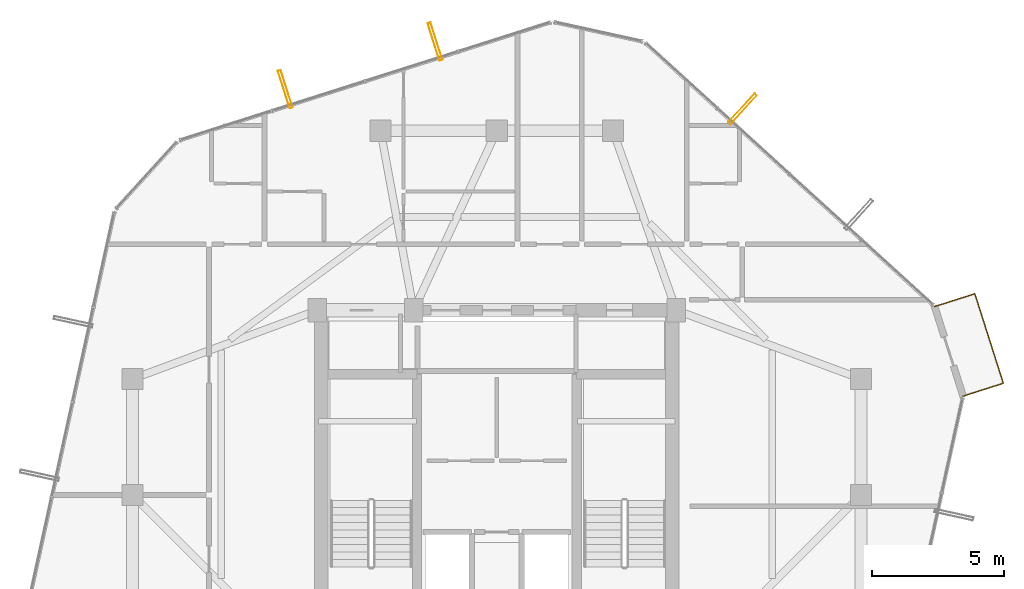
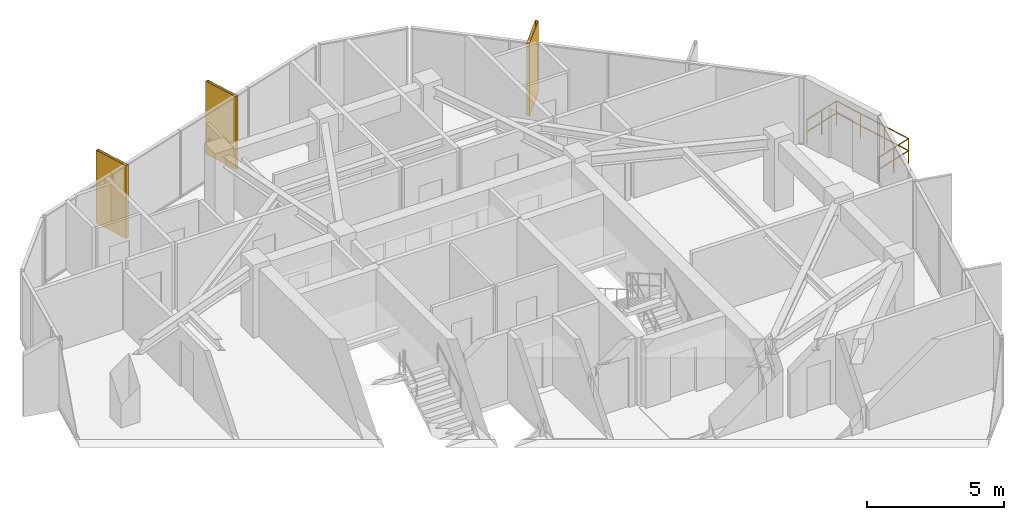
# One storey, part 28 of 28: 3 shading devices, 1 railing.
"""IFC4 building model written with IfcOpenShell, lengths in metres."""

from ifc_helpers import new_model, si_unit, direction, frame, origin, origin_2d, place, context, subcontext, project, spatial, hollow_rectangle, circle, extrude, material, material_profile, profile_set, type_object, element, save


model = new_model("IFC4")

# Units and contexts
model_context = context("Model", 3, precision=1e-05, world=origin(), true_north=direction((0.0, 1.0)))
body_context = subcontext(model_context, "Body", "Model", "MODEL_VIEW")
ifc_project = project(units=[si_unit("LENGTHUNIT", "METRE"), si_unit("AREAUNIT", "SQUARE_METRE"), si_unit("VOLUMEUNIT", "CUBIC_METRE"), si_unit("PLANEANGLEUNIT", "RADIAN"), si_unit("MASSUNIT", "GRAM", prefix="KILO")], contexts=[model_context])

# Site, building, storey
site_placement = place(None, origin())
site = spatial("IfcSite", under=ifc_project, at=site_placement, CompositionType="ELEMENT")
building_placement = place(site_placement, origin())
building = spatial("IfcBuilding", under=site, at=building_placement, Name="Veraguas Prism Commons", CompositionType="ELEMENT")
storey_placement = place(building_placement, frame((0.0, 0.0, 251.25)))
storey = spatial("IfcBuildingStorey", under=building, at=storey_placement, Name="L71", CompositionType="ELEMENT", Elevation=251.25)

# Shading devices
ifc_material_1 = material(Name="Anodised aluminium EN AW-6063 T6", Category="aluminium")
ifc_material_profile = material_profile(ifc_material_1, hollow_rectangle(XDim=0.1201171875, YDim=1.489990234375, WallThickness=0.006103515625, at=origin_2d()), Name="FIN120X1490X6")
ifc_profile_set = profile_set([ifc_material_profile], Name="Anodised aluminium EN AW-6063 T6")
shading_device_type = type_object("IfcShadingDeviceType", Name="Deep Pale-Metal Vertical Solar Fin 120x1490", PredefinedType="USERDEFINED", material=ifc_profile_set)
for number, where, z_axis, x_axis, name in (
    (1, (33.307861328125, 38.62646484375, -0.215087890625), (0.0, 0.0, 1.0), (-0.738925912503, 0.673786684219, 0.0), "Vertical Pale-Metal Solar Fin L71-F1B"),
    (2, (21.66162109375, 41.1787109375, -0.215087890625), (0.0, 0.0, 1.0), (-0.952979341517, -0.303035269633, 0.0), "Vertical Pale-Metal Solar Fin L71-F2A"),
    (3, (15.987060546875, 39.3740234375, -0.215087890625), (0.0, 0.0, 1.0), (-0.952979341517, -0.303035269633, 0.0), "Vertical Pale-Metal Solar Fin L71-F2B"),
):
    element("IfcShadingDevice", number, at=place(storey_placement, frame(where, z_axis=z_axis, x_axis=x_axis)), inside=storey, type_object=shading_device_type, Name=name, ObjectType="FIN", PredefinedType="USERDEFINED", context=body_context, shape_type="SweptSolid", body=[
        extrude(hollow_rectangle(XDim=0.1201171875, YDim=1.489990234375, WallThickness=0.006103515625, at=origin_2d()), origin(), (0.0, 0.0, 1.0), 3.25),
    ])

# Railing
ifc_material_2 = material(Name="Stainless steel AISI 316", Category="steel")
railing_type = type_object("IfcRailingType", Name="Loggia and Sky Pool Glazed Balustrade 1120", PredefinedType="BALUSTRADE", material=ifc_material_2)
railing_placement = place(storey_placement, frame((41.666259765625, 27.74853515625, 0.0)))
element("IfcRailing", 4, at=railing_placement, inside=storey, type_object=railing_type, Name="Recessed Corner Loggia L71-C1 Guard", PredefinedType="BALUSTRADE", context=body_context, shape_type="SweptSolid", body=[
    extrude(circle(Radius=0.02392578125, at=origin_2d()), frame((0.0, 0.0, 1.09619140625), z_axis=(0.952985875415, 0.303014721193, 0.0), x_axis=(-0.303014721193, 0.952985875415, 0.0)), (0.0, 0.0, 1.0), 1.60009765625),
    extrude(circle(Radius=0.02392578125, at=origin_2d()), frame((0.0, 0.0, 0.56005859375), z_axis=(0.952985875415, 0.303014721193, 0.0), x_axis=(-0.303014721193, 0.952985875415, 0.0)), (0.0, 0.0, 1.0), 1.60009765625),
    extrude(circle(Radius=0.02392578125, at=origin_2d()), frame((1.52490234375, 0.48486328125, 1.09619140625), z_axis=(-0.303039592257, 0.952977966967, 0.0), x_axis=(-0.952977966967, -0.303039592257, 0.0)), (0.0, 0.0, 1.0), 3.5625),
    extrude(circle(Radius=0.02392578125, at=origin_2d()), frame((1.52490234375, 0.48486328125, 0.56005859375), z_axis=(-0.303039592257, 0.952977966967, 0.0), x_axis=(-0.952977966967, -0.303039592257, 0.0)), (0.0, 0.0, 1.0), 3.5625),
    extrude(circle(Radius=0.02392578125, at=origin_2d()), frame((0.4453125, 3.8798828125, 1.09619140625), z_axis=(-0.952971863204, -0.303058786281, 0.0), x_axis=(0.303058786281, -0.952971863204, 0.0)), (0.0, 0.0, 1.0), 1.599853515625),
    extrude(circle(Radius=0.02392578125, at=origin_2d()), frame((0.4453125, 3.8798828125, 0.56005859375), z_axis=(-0.952971863204, -0.303058786281, 0.0), x_axis=(0.303058786281, -0.952971863204, 0.0)), (0.0, 0.0, 1.0), 1.599853515625),
    extrude(circle(Radius=0.02099609375, at=origin_2d()), origin(), (0.0, 0.0, 1.0), 1.072021484375),
    extrude(circle(Radius=0.02099609375, at=origin_2d()), frame((0.762451171875, 0.242431640625, 0.0)), (0.0, 0.0, 1.0), 1.072021484375),
    extrude(circle(Radius=0.02099609375, at=origin_2d()), frame((1.52490234375, 0.48486328125, 0.0)), (0.0, 0.0, 1.0), 1.072021484375),
    extrude(circle(Radius=0.02099609375, at=origin_2d()), frame((1.1650390625, 1.616455078125, 0.0)), (0.0, 0.0, 1.0), 1.072021484375),
    extrude(circle(Radius=0.02099609375, at=origin_2d()), frame((0.80517578125, 2.748291015625, 0.0)), (0.0, 0.0, 1.0), 1.072021484375),
    extrude(circle(Radius=0.02099609375, at=origin_2d()), frame((0.4453125, 3.8798828125, 0.0)), (0.0, 0.0, 1.0), 1.072021484375),
    extrude(circle(Radius=0.02099609375, at=origin_2d()), frame((-0.31689453125, 3.637451171875, 0.0)), (0.0, 0.0, 1.0), 1.072021484375),
    extrude(circle(Radius=0.02099609375, at=origin_2d()), frame((-1.079345703125, 3.39501953125, 0.0)), (0.0, 0.0, 1.0), 1.072021484375),
])

save(model, "model.ifc")
